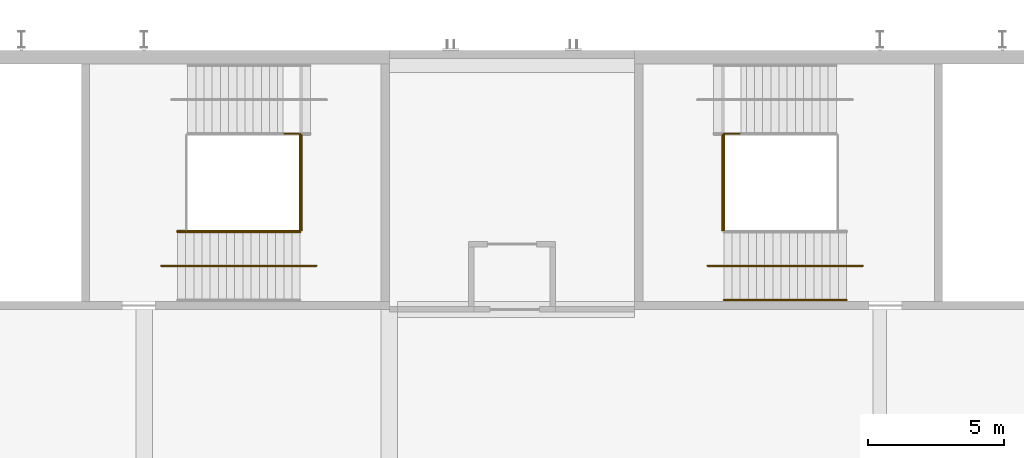
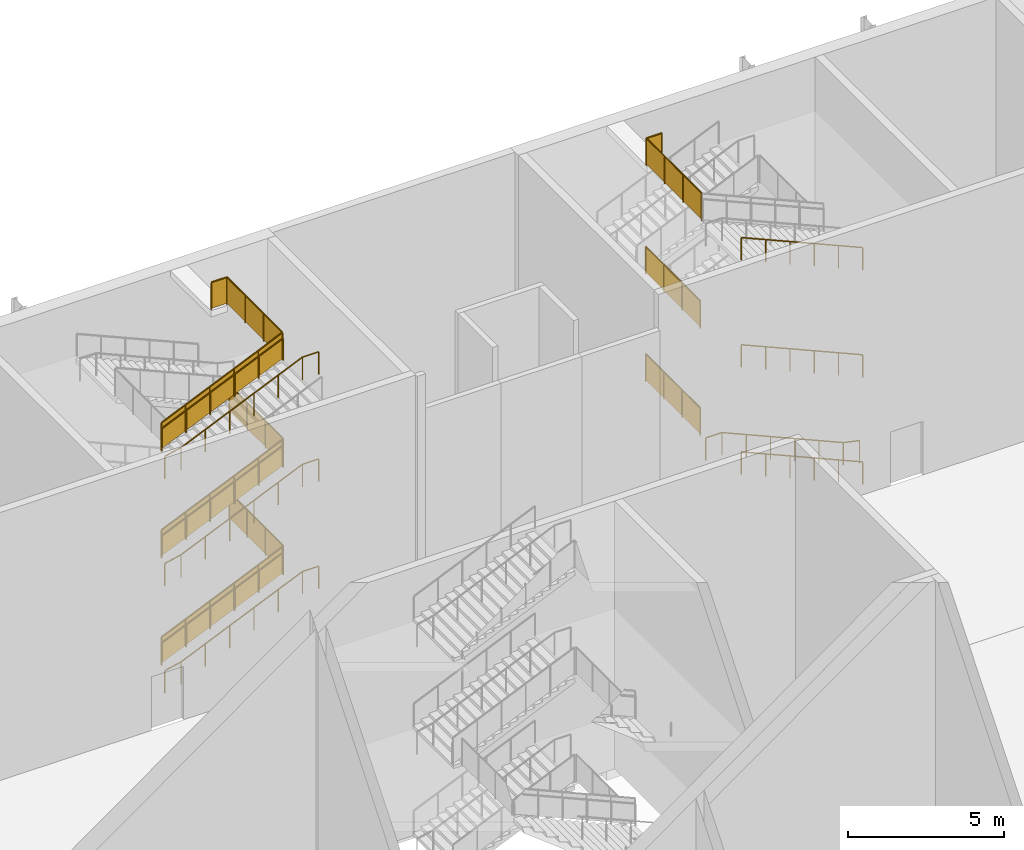
# One storey, part 175 of 182: 19 railings.
"""IFC4 building model written with IfcOpenShell, lengths in metres."""

from ifc_helpers import new_model, si_unit, direction, frame, origin, origin_2d, place, context, subcontext, project, spatial, polyline, circle, outline, extrude, material, type_object, element, save


model = new_model("IFC4")

# Units and contexts
model_context = context("Model", 3, precision=1e-05, world=origin(), true_north=direction((0.0, 1.0)))
body_context = subcontext(model_context, "Body", "Model", "MODEL_VIEW")
ifc_project = project(units=[si_unit("LENGTHUNIT", "METRE"), si_unit("AREAUNIT", "SQUARE_METRE"), si_unit("VOLUMEUNIT", "CUBIC_METRE"), si_unit("PLANEANGLEUNIT", "RADIAN"), si_unit("MASSUNIT", "GRAM", prefix="KILO")], contexts=[model_context])

# Site, building, storey
site_placement = place(None, origin())
site = spatial("IfcSite", under=ifc_project, at=site_placement, CompositionType="ELEMENT")
building_placement = place(site_placement, origin())
building = spatial("IfcBuilding", under=site, at=building_placement, Name="Silverbay Arena", CompositionType="ELEMENT")
storey_placement = place(building_placement, frame((0.0, 0.0, 11.5)))
storey = spatial("IfcBuildingStorey", under=building, at=storey_placement, Name="L02", CompositionType="ELEMENT", Elevation=11.5)

# Railings
ifc_material_1 = material(Name="Stainless steel", Category="steel")
railing_type_1 = type_object("IfcRailingType", Name="Stair guard 1100", PredefinedType="GUARDRAIL", material=ifc_material_1)
railing_1_placement = place(storey_placement, frame((172.225830078125, 137.875, 0.13134765625)))
element("IfcRailing", 1, at=railing_1_placement, inside=storey, type_object=railing_type_1, Name="Stair ST-N4 L02 to L03 flight 1 guard right", PredefinedType="GUARDRAIL", context=body_context, shape_type="SweptSolid", body=[
    extrude(circle(Radius=0.02392578125, at=origin_2d()), frame((0.0, 0.0, 1.076171875), z_axis=(0.916157334902, 0.0, 0.40081883402), x_axis=(0.0, 1.0, 0.0)), (0.0, 0.0, 1.0), 4.911865234375),
    extrude(outline(polyline([(-0.008056640625, 0.04638671875), (0.907958984375, 0.447265625), (0.907958984375, 1.4501953125), (-0.008056640625, 1.049560546875), (-0.008056640625, 0.04638671875)])), frame((0.0, 0.0029296875, 0.0), z_axis=(0.0, -1.0, 0.0), x_axis=(1.0, 0.0, 0.0)), (0.0, 0.0, 1.0), 0.006103515625),
    extrude(outline(polyline([(-0.008056640625, 0.440185546875), (0.907958984375, 0.841064453125), (0.907958984375, 1.843994140625), (-0.008056640625, 1.443359375), (-0.008056640625, 0.440185546875)])), frame((0.89990234375, 0.0029296875, 0.0), z_axis=(0.0, -1.0, 0.0), x_axis=(1.0, 0.0, 0.0)), (0.0, 0.0, 1.0), 0.006103515625),
    extrude(outline(polyline([(-0.008056640625, 0.833984375), (0.907958984375, 1.23486328125), (0.907958984375, 2.23779296875), (-0.008056640625, 1.8369140625), (-0.008056640625, 0.833984375)])), frame((1.800048828125, 0.0029296875, 0.0), z_axis=(0.0, -1.0, 0.0), x_axis=(1.0, 0.0, 0.0)), (0.0, 0.0, 1.0), 0.006103515625),
    extrude(outline(polyline([(-0.008056640625, 1.227783203125), (0.907958984375, 1.62841796875), (0.907958984375, 2.631591796875), (-0.008056640625, 2.230712890625), (-0.008056640625, 1.227783203125)])), frame((2.699951171875, 0.0029296875, 0.0), z_axis=(0.0, -1.0, 0.0), x_axis=(1.0, 0.0, 0.0)), (0.0, 0.0, 1.0), 0.006103515625),
    extrude(outline(polyline([(-0.008056640625, 1.62158203125), (0.907958984375, 2.022216796875), (0.907958984375, 3.025146484375), (-0.008056640625, 2.62451171875), (-0.008056640625, 1.62158203125)])), frame((3.60009765625, 0.0029296875, 0.0), z_axis=(0.0, -1.0, 0.0), x_axis=(1.0, 0.0, 0.0)), (0.0, 0.0, 1.0), 0.006103515625),
    extrude(circle(Radius=0.02099609375, at=origin_2d()), origin(), (0.0, 0.0, 1.0), 1.052001953125),
    extrude(circle(Radius=0.02099609375, at=origin_2d()), frame((0.89990234375, 0.0, 0.393798828125)), (0.0, 0.0, 1.0), 1.052001953125),
    extrude(circle(Radius=0.02099609375, at=origin_2d()), frame((1.800048828125, 0.0, 0.78759765625)), (0.0, 0.0, 1.0), 1.052001953125),
    extrude(circle(Radius=0.02099609375, at=origin_2d()), frame((2.699951171875, 0.0, 1.18115234375)), (0.0, 0.0, 1.0), 1.052001953125),
    extrude(circle(Radius=0.02099609375, at=origin_2d()), frame((3.60009765625, 0.0, 1.574951171875)), (0.0, 0.0, 1.0), 1.052001953125),
    extrude(circle(Radius=0.02099609375, at=origin_2d()), frame((4.5, 0.0, 1.96875)), (0.0, 0.0, 1.0), 1.052001953125),
])
railing_2_placement = place(storey_placement, frame((172.225830078125, 137.875, 4.331298828125)))
element("IfcRailing", 2, at=railing_2_placement, inside=storey, type_object=railing_type_1, Name="Stair ST-N4 L02 to L03 flight 3 guard right", PredefinedType="GUARDRAIL", context=body_context, shape_type="SweptSolid", body=[
    extrude(circle(Radius=0.02392578125, at=origin_2d()), frame((0.0, 0.0, 1.076171875), z_axis=(0.916157334902, 0.0, 0.40081883402), x_axis=(0.0, 1.0, 0.0)), (0.0, 0.0, 1.0), 4.911865234375),
    extrude(outline(polyline([(-0.008056640625, 0.04638671875), (0.907958984375, 0.447265625), (0.907958984375, 1.4501953125), (-0.008056640625, 1.049560546875), (-0.008056640625, 0.04638671875)])), frame((0.0, 0.0029296875, 0.0), z_axis=(0.0, -1.0, 0.0), x_axis=(1.0, 0.0, 0.0)), (0.0, 0.0, 1.0), 0.006103515625),
    extrude(outline(polyline([(-0.008056640625, 0.440185546875), (0.907958984375, 0.841064453125), (0.907958984375, 1.843994140625), (-0.008056640625, 1.443359375), (-0.008056640625, 0.440185546875)])), frame((0.89990234375, 0.0029296875, 0.0), z_axis=(0.0, -1.0, 0.0), x_axis=(1.0, 0.0, 0.0)), (0.0, 0.0, 1.0), 0.006103515625),
    extrude(outline(polyline([(-0.008056640625, 0.833984375), (0.907958984375, 1.23486328125), (0.907958984375, 2.23779296875), (-0.008056640625, 1.8369140625), (-0.008056640625, 0.833984375)])), frame((1.800048828125, 0.0029296875, 0.0), z_axis=(0.0, -1.0, 0.0), x_axis=(1.0, 0.0, 0.0)), (0.0, 0.0, 1.0), 0.006103515625),
    extrude(outline(polyline([(-0.008056640625, 1.227783203125), (0.907958984375, 1.62841796875), (0.907958984375, 2.631591796875), (-0.008056640625, 2.230712890625), (-0.008056640625, 1.227783203125)])), frame((2.699951171875, 0.0029296875, 0.0), z_axis=(0.0, -1.0, 0.0), x_axis=(1.0, 0.0, 0.0)), (0.0, 0.0, 1.0), 0.006103515625),
    extrude(outline(polyline([(-0.008056640625, 1.62158203125), (0.907958984375, 2.022216796875), (0.907958984375, 3.025146484375), (-0.008056640625, 2.62451171875), (-0.008056640625, 1.62158203125)])), frame((3.60009765625, 0.0029296875, 0.0), z_axis=(0.0, -1.0, 0.0), x_axis=(1.0, 0.0, 0.0)), (0.0, 0.0, 1.0), 0.006103515625),
    extrude(circle(Radius=0.02099609375, at=origin_2d()), origin(), (0.0, 0.0, 1.0), 1.052001953125),
    extrude(circle(Radius=0.02099609375, at=origin_2d()), frame((0.89990234375, 0.0, 0.393798828125)), (0.0, 0.0, 1.0), 1.052001953125),
    extrude(circle(Radius=0.02099609375, at=origin_2d()), frame((1.800048828125, 0.0, 0.78759765625)), (0.0, 0.0, 1.0), 1.052001953125),
    extrude(circle(Radius=0.02099609375, at=origin_2d()), frame((2.699951171875, 0.0, 1.18115234375)), (0.0, 0.0, 1.0), 1.052001953125),
    extrude(circle(Radius=0.02099609375, at=origin_2d()), frame((3.60009765625, 0.0, 1.574951171875)), (0.0, 0.0, 1.0), 1.052001953125),
    extrude(circle(Radius=0.02099609375, at=origin_2d()), frame((4.5, 0.0, 1.96875)), (0.0, 0.0, 1.0), 1.052001953125),
])
railing_3_placement = place(storey_placement, frame((172.225830078125, 137.875, 8.53125)))
element("IfcRailing", 3, at=railing_3_placement, inside=storey, type_object=railing_type_1, Name="Stair ST-N4 L02 to L03 flight 5 guard right", PredefinedType="GUARDRAIL", context=body_context, shape_type="SweptSolid", body=[
    extrude(circle(Radius=0.02392578125, at=origin_2d()), frame((0.0, 0.0, 1.076171875), z_axis=(0.916157334902, 0.0, 0.40081883402), x_axis=(0.0, 1.0, 0.0)), (0.0, 0.0, 1.0), 4.911865234375),
    extrude(outline(polyline([(-0.008056640625, 0.04638671875), (0.907958984375, 0.447265625), (0.907958984375, 1.4501953125), (-0.008056640625, 1.049560546875), (-0.008056640625, 0.04638671875)])), frame((0.0, 0.0029296875, 0.0), z_axis=(0.0, -1.0, 0.0), x_axis=(1.0, 0.0, 0.0)), (0.0, 0.0, 1.0), 0.006103515625),
    extrude(outline(polyline([(-0.008056640625, 0.440185546875), (0.907958984375, 0.841064453125), (0.907958984375, 1.843994140625), (-0.008056640625, 1.443359375), (-0.008056640625, 0.440185546875)])), frame((0.89990234375, 0.0029296875, 0.0), z_axis=(0.0, -1.0, 0.0), x_axis=(1.0, 0.0, 0.0)), (0.0, 0.0, 1.0), 0.006103515625),
    extrude(outline(polyline([(-0.008056640625, 0.833984375), (0.907958984375, 1.23486328125), (0.907958984375, 2.23779296875), (-0.008056640625, 1.8369140625), (-0.008056640625, 0.833984375)])), frame((1.800048828125, 0.0029296875, 0.0), z_axis=(0.0, -1.0, 0.0), x_axis=(1.0, 0.0, 0.0)), (0.0, 0.0, 1.0), 0.006103515625),
    extrude(outline(polyline([(-0.008056640625, 1.227783203125), (0.907958984375, 1.62841796875), (0.907958984375, 2.631591796875), (-0.008056640625, 2.230712890625), (-0.008056640625, 1.227783203125)])), frame((2.699951171875, 0.0029296875, 0.0), z_axis=(0.0, -1.0, 0.0), x_axis=(1.0, 0.0, 0.0)), (0.0, 0.0, 1.0), 0.006103515625),
    extrude(outline(polyline([(-0.008056640625, 1.62158203125), (0.907958984375, 2.022216796875), (0.907958984375, 3.025146484375), (-0.008056640625, 2.62451171875), (-0.008056640625, 1.62158203125)])), frame((3.60009765625, 0.0029296875, 0.0), z_axis=(0.0, -1.0, 0.0), x_axis=(1.0, 0.0, 0.0)), (0.0, 0.0, 1.0), 0.006103515625),
    extrude(circle(Radius=0.02099609375, at=origin_2d()), origin(), (0.0, 0.0, 1.0), 1.052001953125),
    extrude(circle(Radius=0.02099609375, at=origin_2d()), frame((0.89990234375, 0.0, 0.393798828125)), (0.0, 0.0, 1.0), 1.052001953125),
    extrude(circle(Radius=0.02099609375, at=origin_2d()), frame((1.800048828125, 0.0, 0.78759765625)), (0.0, 0.0, 1.0), 1.052001953125),
    extrude(circle(Radius=0.02099609375, at=origin_2d()), frame((2.699951171875, 0.0, 1.18115234375)), (0.0, 0.0, 1.0), 1.052001953125),
    extrude(circle(Radius=0.02099609375, at=origin_2d()), frame((3.60009765625, 0.0, 1.574951171875)), (0.0, 0.0, 1.0), 1.052001953125),
    extrude(circle(Radius=0.02099609375, at=origin_2d()), frame((4.5, 0.0, 1.96875)), (0.0, 0.0, 1.0), 1.052001953125),
])
for number, where, name in (
    (4, (176.77587890625, 137.89990234375, 2.10009765625), "Stair ST-N4 L02 to L03 landing 1 guard"),
    (5, (176.77587890625, 137.89990234375, 6.300048828125), "Stair ST-N4 L02 to L03 landing 3 guard"),
):
    element("IfcRailing", number, at=place(storey_placement, frame(where)), inside=storey, type_object=railing_type_1, Name=name, PredefinedType="GUARDRAIL", context=body_context, shape_type="SweptSolid", body=[
        extrude(circle(Radius=0.02392578125, at=origin_2d()), frame((0.0, 0.0, 1.076171875), z_axis=(0.0, 1.0, 0.0), x_axis=(-1.0, 0.0, 0.0)), (0.0, 0.0, 1.0), 3.5),
        extrude(outline(polyline([(-0.008056640625, 0.050048828125), (1.174560546875, 0.050048828125), (1.174560546875, 1.052978515625), (-0.008056640625, 1.052978515625), (-0.008056640625, 0.050048828125)])), frame((-0.0029296875, 0.0, 0.0), z_axis=(1.0, 0.0, 0.0), x_axis=(0.0, 1.0, 0.0)), (0.0, 0.0, 1.0), 0.006103515625),
        extrude(outline(polyline([(-0.008056640625, 0.050048828125), (1.174560546875, 0.050048828125), (1.174560546875, 1.052978515625), (-0.008056640625, 1.052978515625), (-0.008056640625, 0.050048828125)])), frame((-0.0029296875, 1.166748046875, 0.0), z_axis=(1.0, 0.0, 0.0), x_axis=(0.0, 1.0, 0.0)), (0.0, 0.0, 1.0), 0.006103515625),
        extrude(outline(polyline([(-0.008056640625, 0.050048828125), (1.174560546875, 0.050048828125), (1.174560546875, 1.052978515625), (-0.008056640625, 1.052978515625), (-0.008056640625, 0.050048828125)])), frame((-0.0029296875, 2.333251953125, 0.0), z_axis=(1.0, 0.0, 0.0), x_axis=(0.0, 1.0, 0.0)), (0.0, 0.0, 1.0), 0.006103515625),
        extrude(circle(Radius=0.02099609375, at=origin_2d()), origin(), (0.0, 0.0, 1.0), 1.052001953125),
        extrude(circle(Radius=0.02099609375, at=origin_2d()), frame((0.0, 1.166748046875, 0.0)), (0.0, 0.0, 1.0), 1.052001953125),
        extrude(circle(Radius=0.02099609375, at=origin_2d()), frame((0.0, 2.333251953125, 0.0)), (0.0, 0.0, 1.0), 1.052001953125),
        extrude(circle(Radius=0.02099609375, at=origin_2d()), frame((0.0, 3.5, 0.0)), (0.0, 0.0, 1.0), 1.052001953125),
    ])
railing_4_placement = place(storey_placement, frame((176.14990234375, 141.449951171875, 10.5)))
element("IfcRailing", 6, at=railing_4_placement, inside=storey, type_object=railing_type_1, Name="Stair ST-N4 L02 to L03 landing 5 guard", PredefinedType="GUARDRAIL", context=body_context, shape_type="SweptSolid", body=[
    extrude(circle(Radius=0.02392578125, at=origin_2d()), frame((0.0, 0.0, 1.076171875), z_axis=(1.0, 0.0, 0.0), x_axis=(0.0, 1.0, 0.0)), (0.0, 0.0, 1.0), 0.575927734375),
    extrude(outline(polyline([(-0.008056640625, 0.050048828125), (0.583984375, 0.050048828125), (0.583984375, 1.052978515625), (-0.008056640625, 1.052978515625), (-0.008056640625, 0.050048828125)])), frame((0.0, 0.0029296875, 0.0), z_axis=(0.0, -1.0, 0.0), x_axis=(1.0, 0.0, 0.0)), (0.0, 0.0, 1.0), 0.006103515625),
    extrude(circle(Radius=0.02392578125, at=origin_2d()), frame((0.575927734375, 0.0, 1.076171875), z_axis=(0.0, -1.0, 0.0), x_axis=(1.0, 0.0, 0.0)), (0.0, 0.0, 1.0), 3.550048828125),
    extrude(outline(polyline([(-0.008056640625, 0.050048828125), (1.19140625, 0.050048828125), (1.19140625, 1.052978515625), (-0.008056640625, 1.052978515625), (-0.008056640625, 0.050048828125)])), frame((0.578857421875, 0.0, 0.0), z_axis=(-1.0, 0.0, 0.0), x_axis=(0.0, -1.0, 0.0)), (0.0, 0.0, 1.0), 0.006103515625),
    extrude(outline(polyline([(-0.008056640625, 0.050048828125), (1.19140625, 0.050048828125), (1.19140625, 1.052978515625), (-0.008056640625, 1.052978515625), (-0.008056640625, 0.050048828125)])), frame((0.578857421875, -1.183349609375, 0.0), z_axis=(-1.0, 0.0, 0.0), x_axis=(0.0, -1.0, 0.0)), (0.0, 0.0, 1.0), 0.006103515625),
    extrude(outline(polyline([(-0.008056640625, 0.050048828125), (1.19140625, 0.050048828125), (1.19140625, 1.052978515625), (-0.008056640625, 1.052978515625), (-0.008056640625, 0.050048828125)])), frame((0.578857421875, -2.36669921875, 0.0), z_axis=(-1.0, 0.0, 0.0), x_axis=(0.0, -1.0, 0.0)), (0.0, 0.0, 1.0), 0.006103515625),
    extrude(circle(Radius=0.02099609375, at=origin_2d()), origin(), (0.0, 0.0, 1.0), 1.052001953125),
    extrude(circle(Radius=0.02099609375, at=origin_2d()), frame((0.575927734375, 0.0, 0.0)), (0.0, 0.0, 1.0), 1.052001953125),
    extrude(circle(Radius=0.02099609375, at=origin_2d()), frame((0.575927734375, -1.183349609375, 0.0)), (0.0, 0.0, 1.0), 1.052001953125),
    extrude(circle(Radius=0.02099609375, at=origin_2d()), frame((0.575927734375, -2.36669921875, 0.0)), (0.0, 0.0, 1.0), 1.052001953125),
    extrude(circle(Radius=0.02099609375, at=origin_2d()), frame((0.575927734375, -3.550048828125, 0.0)), (0.0, 0.0, 1.0), 1.052001953125),
])
for number, where, name in (
    (7, (192.22412109375, 137.89990234375, 2.10009765625), "Stair ST-N6 L02 to L03 landing 1 guard"),
    (8, (192.22412109375, 137.89990234375, 6.300048828125), "Stair ST-N6 L02 to L03 landing 3 guard"),
):
    element("IfcRailing", number, at=place(storey_placement, frame(where)), inside=storey, type_object=railing_type_1, Name=name, PredefinedType="GUARDRAIL", context=body_context, shape_type="SweptSolid", body=[
        extrude(circle(Radius=0.02392578125, at=origin_2d()), frame((0.0, 0.0, 1.076171875), z_axis=(0.0, 1.0, 0.0), x_axis=(-1.0, 0.0, 0.0)), (0.0, 0.0, 1.0), 3.5),
        extrude(outline(polyline([(-0.008056640625, 0.050048828125), (1.174560546875, 0.050048828125), (1.174560546875, 1.052978515625), (-0.008056640625, 1.052978515625), (-0.008056640625, 0.050048828125)])), frame((-0.0029296875, 0.0, 0.0), z_axis=(1.0, 0.0, 0.0), x_axis=(0.0, 1.0, 0.0)), (0.0, 0.0, 1.0), 0.006103515625),
        extrude(outline(polyline([(-0.008056640625, 0.050048828125), (1.174560546875, 0.050048828125), (1.174560546875, 1.052978515625), (-0.008056640625, 1.052978515625), (-0.008056640625, 0.050048828125)])), frame((-0.0029296875, 1.166748046875, 0.0), z_axis=(1.0, 0.0, 0.0), x_axis=(0.0, 1.0, 0.0)), (0.0, 0.0, 1.0), 0.006103515625),
        extrude(outline(polyline([(-0.008056640625, 0.050048828125), (1.174560546875, 0.050048828125), (1.174560546875, 1.052978515625), (-0.008056640625, 1.052978515625), (-0.008056640625, 0.050048828125)])), frame((-0.0029296875, 2.333251953125, 0.0), z_axis=(1.0, 0.0, 0.0), x_axis=(0.0, 1.0, 0.0)), (0.0, 0.0, 1.0), 0.006103515625),
        extrude(circle(Radius=0.02099609375, at=origin_2d()), origin(), (0.0, 0.0, 1.0), 1.052001953125),
        extrude(circle(Radius=0.02099609375, at=origin_2d()), frame((0.0, 1.166748046875, 0.0)), (0.0, 0.0, 1.0), 1.052001953125),
        extrude(circle(Radius=0.02099609375, at=origin_2d()), frame((0.0, 2.333251953125, 0.0)), (0.0, 0.0, 1.0), 1.052001953125),
        extrude(circle(Radius=0.02099609375, at=origin_2d()), frame((0.0, 3.5, 0.0)), (0.0, 0.0, 1.0), 1.052001953125),
    ])
railing_5_placement = place(storey_placement, frame((192.85009765625, 141.449951171875, 10.5)))
element("IfcRailing", 9, at=railing_5_placement, inside=storey, type_object=railing_type_1, Name="Stair ST-N6 L02 to L03 landing 5 guard", PredefinedType="GUARDRAIL", context=body_context, shape_type="SweptSolid", body=[
    extrude(circle(Radius=0.02392578125, at=origin_2d()), frame((0.0, 0.0, 1.076171875), z_axis=(-1.0, 0.0, 0.0), x_axis=(0.0, -1.0, 0.0)), (0.0, 0.0, 1.0), 0.575927734375),
    extrude(outline(polyline([(-0.008056640625, 0.050048828125), (0.583984375, 0.050048828125), (0.583984375, 1.052978515625), (-0.008056640625, 1.052978515625), (-0.008056640625, 0.050048828125)])), frame((0.0, -0.0029296875, 0.0), z_axis=(0.0, 1.0, 0.0), x_axis=(-1.0, 0.0, 0.0)), (0.0, 0.0, 1.0), 0.006103515625),
    extrude(circle(Radius=0.02392578125, at=origin_2d()), frame((-0.575927734375, 0.0, 1.076171875), z_axis=(0.0, -1.0, 0.0), x_axis=(1.0, 0.0, 0.0)), (0.0, 0.0, 1.0), 3.550048828125),
    extrude(outline(polyline([(-0.008056640625, 0.050048828125), (1.19140625, 0.050048828125), (1.19140625, 1.052978515625), (-0.008056640625, 1.052978515625), (-0.008056640625, 0.050048828125)])), frame((-0.572998046875, 0.0, 0.0), z_axis=(-1.0, 0.0, 0.0), x_axis=(0.0, -1.0, 0.0)), (0.0, 0.0, 1.0), 0.006103515625),
    extrude(outline(polyline([(-0.008056640625, 0.050048828125), (1.19140625, 0.050048828125), (1.19140625, 1.052978515625), (-0.008056640625, 1.052978515625), (-0.008056640625, 0.050048828125)])), frame((-0.572998046875, -1.183349609375, 0.0), z_axis=(-1.0, 0.0, 0.0), x_axis=(0.0, -1.0, 0.0)), (0.0, 0.0, 1.0), 0.006103515625),
    extrude(outline(polyline([(-0.008056640625, 0.050048828125), (1.19140625, 0.050048828125), (1.19140625, 1.052978515625), (-0.008056640625, 1.052978515625), (-0.008056640625, 0.050048828125)])), frame((-0.572998046875, -2.36669921875, 0.0), z_axis=(-1.0, 0.0, 0.0), x_axis=(0.0, -1.0, 0.0)), (0.0, 0.0, 1.0), 0.006103515625),
    extrude(circle(Radius=0.02099609375, at=origin_2d()), origin(), (0.0, 0.0, 1.0), 1.052001953125),
    extrude(circle(Radius=0.02099609375, at=origin_2d()), frame((-0.575927734375, 0.0, 0.0)), (0.0, 0.0, 1.0), 1.052001953125),
    extrude(circle(Radius=0.02099609375, at=origin_2d()), frame((-0.575927734375, -1.183349609375, 0.0)), (0.0, 0.0, 1.0), 1.052001953125),
    extrude(circle(Radius=0.02099609375, at=origin_2d()), frame((-0.575927734375, -2.36669921875, 0.0)), (0.0, 0.0, 1.0), 1.052001953125),
    extrude(circle(Radius=0.02099609375, at=origin_2d()), frame((-0.575927734375, -3.550048828125, 0.0)), (0.0, 0.0, 1.0), 1.052001953125),
])
ifc_material_2 = material(Name="Stainless steel", Category="steel")
railing_type_2 = type_object("IfcRailingType", Name="Stair handrail 900", PredefinedType="HANDRAIL", material=ifc_material_2)
railing_6_placement = place(storey_placement, frame((172.225830078125, 137.8359375, 0.13134765625)))
element("IfcRailing", 10, at=railing_6_placement, inside=storey, type_object=railing_type_2, Name="Stair ST-N4 L02 to L03 flight 1 handrail right", PredefinedType="HANDRAIL", context=body_context, shape_type="SweptSolid", body=[
    extrude(circle(Radius=0.02392578125, at=origin_2d()), frame((0.0, 0.0, 0.8759765625), z_axis=(0.916157334902, 0.0, 0.40081883402), x_axis=(0.0, 1.0, 0.0)), (0.0, 0.0, 1.0), 4.911865234375),
    extrude(circle(Radius=0.02099609375, at=origin_2d()), origin(), (0.0, 0.0, 1.0), 0.851806640625),
    extrude(circle(Radius=0.02099609375, at=origin_2d()), frame((0.89990234375, 0.0, 0.393798828125)), (0.0, 0.0, 1.0), 0.851806640625),
    extrude(circle(Radius=0.02099609375, at=origin_2d()), frame((1.800048828125, 0.0, 0.78759765625)), (0.0, 0.0, 1.0), 0.851806640625),
    extrude(circle(Radius=0.02099609375, at=origin_2d()), frame((2.699951171875, 0.0, 1.18115234375)), (0.0, 0.0, 1.0), 0.851806640625),
    extrude(circle(Radius=0.02099609375, at=origin_2d()), frame((3.60009765625, 0.0, 1.574951171875)), (0.0, 0.0, 1.0), 0.851806640625),
    extrude(circle(Radius=0.02099609375, at=origin_2d()), frame((4.5, 0.0, 1.96875)), (0.0, 0.0, 1.0), 0.851806640625),
])
railing_7_placement = place(storey_placement, frame((171.625732421875, 136.60009765625, 0.0)))
element("IfcRailing", 11, at=railing_7_placement, inside=storey, type_object=railing_type_2, Name="Stair ST-N4 L02 to L03 flight 1 central handrail", PredefinedType="HANDRAIL", context=body_context, shape_type="SweptSolid", body=[
    extrude(circle(Radius=0.02392578125, at=origin_2d()), frame((0.0, 0.0, 0.8759765625), z_axis=(0.976874083041, 0.0, 0.213815401414), x_axis=(0.0, 1.0, 0.0)), (0.0, 0.0, 1.0), 0.6142578125),
    extrude(circle(Radius=0.02392578125, at=origin_2d()), frame((0.60009765625, 0.0, 1.00732421875), z_axis=(0.916157334902, 0.0, 0.40081883402), x_axis=(0.0, 1.0, 0.0)), (0.0, 0.0, 1.0), 4.911865234375),
    extrude(circle(Radius=0.02392578125, at=origin_2d()), frame((5.10009765625, 0.0, 2.97607421875), z_axis=(1.0, 0.0, 0.0), x_axis=(0.0, 1.0, 0.0)), (0.0, 0.0, 1.0), 0.599853515625),
    extrude(circle(Radius=0.02099609375, at=origin_2d()), origin(), (0.0, 0.0, 1.0), 0.851806640625),
    extrude(circle(Radius=0.02099609375, at=origin_2d()), frame((0.60009765625, 0.0, 0.13134765625)), (0.0, 0.0, 1.0), 0.851806640625),
    extrude(circle(Radius=0.02099609375, at=origin_2d()), frame((1.5, 0.0, 0.525146484375)), (0.0, 0.0, 1.0), 0.851806640625),
    extrude(circle(Radius=0.02099609375, at=origin_2d()), frame((2.400146484375, 0.0, 0.9189453125)), (0.0, 0.0, 1.0), 0.851806640625),
    extrude(circle(Radius=0.02099609375, at=origin_2d()), frame((3.300048828125, 0.0, 1.3125)), (0.0, 0.0, 1.0), 0.851806640625),
    extrude(circle(Radius=0.02099609375, at=origin_2d()), frame((4.2001953125, 0.0, 1.706298828125)), (0.0, 0.0, 1.0), 0.851806640625),
    extrude(circle(Radius=0.02099609375, at=origin_2d()), frame((5.10009765625, 0.0, 2.10009765625)), (0.0, 0.0, 1.0), 0.851806640625),
    extrude(circle(Radius=0.02099609375, at=origin_2d()), frame((5.699951171875, 0.0, 2.10009765625)), (0.0, 0.0, 1.0), 0.851806640625),
])
railing_8_placement = place(storey_placement, frame((172.225830078125, 137.8359375, 4.331298828125)))
element("IfcRailing", 12, at=railing_8_placement, inside=storey, type_object=railing_type_2, Name="Stair ST-N4 L02 to L03 flight 3 handrail right", PredefinedType="HANDRAIL", context=body_context, shape_type="SweptSolid", body=[
    extrude(circle(Radius=0.02392578125, at=origin_2d()), frame((0.0, 0.0, 0.8759765625), z_axis=(0.916157334902, 0.0, 0.40081883402), x_axis=(0.0, 1.0, 0.0)), (0.0, 0.0, 1.0), 4.911865234375),
    extrude(circle(Radius=0.02099609375, at=origin_2d()), origin(), (0.0, 0.0, 1.0), 0.851806640625),
    extrude(circle(Radius=0.02099609375, at=origin_2d()), frame((0.89990234375, 0.0, 0.393798828125)), (0.0, 0.0, 1.0), 0.851806640625),
    extrude(circle(Radius=0.02099609375, at=origin_2d()), frame((1.800048828125, 0.0, 0.78759765625)), (0.0, 0.0, 1.0), 0.851806640625),
    extrude(circle(Radius=0.02099609375, at=origin_2d()), frame((2.699951171875, 0.0, 1.18115234375)), (0.0, 0.0, 1.0), 0.851806640625),
    extrude(circle(Radius=0.02099609375, at=origin_2d()), frame((3.60009765625, 0.0, 1.574951171875)), (0.0, 0.0, 1.0), 0.851806640625),
    extrude(circle(Radius=0.02099609375, at=origin_2d()), frame((4.5, 0.0, 1.96875)), (0.0, 0.0, 1.0), 0.851806640625),
])
railing_9_placement = place(storey_placement, frame((171.625732421875, 136.60009765625, 4.199951171875)))
element("IfcRailing", 13, at=railing_9_placement, inside=storey, type_object=railing_type_2, Name="Stair ST-N4 L02 to L03 flight 3 central handrail", PredefinedType="HANDRAIL", context=body_context, shape_type="SweptSolid", body=[
    extrude(circle(Radius=0.02392578125, at=origin_2d()), frame((0.0, 0.0, 0.8759765625), z_axis=(0.976874083041, 0.0, 0.213815401414), x_axis=(0.0, 1.0, 0.0)), (0.0, 0.0, 1.0), 0.6142578125),
    extrude(circle(Radius=0.02392578125, at=origin_2d()), frame((0.60009765625, 0.0, 1.00732421875), z_axis=(0.916157334902, 0.0, 0.40081883402), x_axis=(0.0, 1.0, 0.0)), (0.0, 0.0, 1.0), 4.911865234375),
    extrude(circle(Radius=0.02392578125, at=origin_2d()), frame((5.10009765625, 0.0, 2.97607421875), z_axis=(1.0, 0.0, 0.0), x_axis=(0.0, 1.0, 0.0)), (0.0, 0.0, 1.0), 0.599853515625),
    extrude(circle(Radius=0.02099609375, at=origin_2d()), origin(), (0.0, 0.0, 1.0), 0.851806640625),
    extrude(circle(Radius=0.02099609375, at=origin_2d()), frame((0.60009765625, 0.0, 0.13134765625)), (0.0, 0.0, 1.0), 0.851806640625),
    extrude(circle(Radius=0.02099609375, at=origin_2d()), frame((1.5, 0.0, 0.525146484375)), (0.0, 0.0, 1.0), 0.851806640625),
    extrude(circle(Radius=0.02099609375, at=origin_2d()), frame((2.400146484375, 0.0, 0.9189453125)), (0.0, 0.0, 1.0), 0.851806640625),
    extrude(circle(Radius=0.02099609375, at=origin_2d()), frame((3.300048828125, 0.0, 1.3125)), (0.0, 0.0, 1.0), 0.851806640625),
    extrude(circle(Radius=0.02099609375, at=origin_2d()), frame((4.2001953125, 0.0, 1.706298828125)), (0.0, 0.0, 1.0), 0.851806640625),
    extrude(circle(Radius=0.02099609375, at=origin_2d()), frame((5.10009765625, 0.0, 2.10009765625)), (0.0, 0.0, 1.0), 0.851806640625),
    extrude(circle(Radius=0.02099609375, at=origin_2d()), frame((5.699951171875, 0.0, 2.10009765625)), (0.0, 0.0, 1.0), 0.851806640625),
])
railing_10_placement = place(storey_placement, frame((172.225830078125, 137.8359375, 8.53125)))
element("IfcRailing", 14, at=railing_10_placement, inside=storey, type_object=railing_type_2, Name="Stair ST-N4 L02 to L03 flight 5 handrail right", PredefinedType="HANDRAIL", context=body_context, shape_type="SweptSolid", body=[
    extrude(circle(Radius=0.02392578125, at=origin_2d()), frame((0.0, 0.0, 0.8759765625), z_axis=(0.916157334902, 0.0, 0.40081883402), x_axis=(0.0, 1.0, 0.0)), (0.0, 0.0, 1.0), 4.911865234375),
    extrude(circle(Radius=0.02099609375, at=origin_2d()), origin(), (0.0, 0.0, 1.0), 0.851806640625),
    extrude(circle(Radius=0.02099609375, at=origin_2d()), frame((0.89990234375, 0.0, 0.393798828125)), (0.0, 0.0, 1.0), 0.851806640625),
    extrude(circle(Radius=0.02099609375, at=origin_2d()), frame((1.800048828125, 0.0, 0.78759765625)), (0.0, 0.0, 1.0), 0.851806640625),
    extrude(circle(Radius=0.02099609375, at=origin_2d()), frame((2.699951171875, 0.0, 1.18115234375)), (0.0, 0.0, 1.0), 0.851806640625),
    extrude(circle(Radius=0.02099609375, at=origin_2d()), frame((3.60009765625, 0.0, 1.574951171875)), (0.0, 0.0, 1.0), 0.851806640625),
    extrude(circle(Radius=0.02099609375, at=origin_2d()), frame((4.5, 0.0, 1.96875)), (0.0, 0.0, 1.0), 0.851806640625),
])
railing_11_placement = place(storey_placement, frame((171.625732421875, 136.60009765625, 8.39990234375)))
element("IfcRailing", 15, at=railing_11_placement, inside=storey, type_object=railing_type_2, Name="Stair ST-N4 L02 to L03 flight 5 central handrail", PredefinedType="HANDRAIL", context=body_context, shape_type="SweptSolid", body=[
    extrude(circle(Radius=0.02392578125, at=origin_2d()), frame((0.0, 0.0, 0.8759765625), z_axis=(0.976874083041, 0.0, 0.213815401414), x_axis=(0.0, 1.0, 0.0)), (0.0, 0.0, 1.0), 0.6142578125),
    extrude(circle(Radius=0.02392578125, at=origin_2d()), frame((0.60009765625, 0.0, 1.00732421875), z_axis=(0.916157334902, 0.0, 0.40081883402), x_axis=(0.0, 1.0, 0.0)), (0.0, 0.0, 1.0), 4.911865234375),
    extrude(circle(Radius=0.02392578125, at=origin_2d()), frame((5.10009765625, 0.0, 2.97607421875), z_axis=(1.0, 0.0, 0.0), x_axis=(0.0, 1.0, 0.0)), (0.0, 0.0, 1.0), 0.599853515625),
    extrude(circle(Radius=0.02099609375, at=origin_2d()), origin(), (0.0, 0.0, 1.0), 0.851806640625),
    extrude(circle(Radius=0.02099609375, at=origin_2d()), frame((0.60009765625, 0.0, 0.13134765625)), (0.0, 0.0, 1.0), 0.851806640625),
    extrude(circle(Radius=0.02099609375, at=origin_2d()), frame((1.5, 0.0, 0.525146484375)), (0.0, 0.0, 1.0), 0.851806640625),
    extrude(circle(Radius=0.02099609375, at=origin_2d()), frame((2.400146484375, 0.0, 0.9189453125)), (0.0, 0.0, 1.0), 0.851806640625),
    extrude(circle(Radius=0.02099609375, at=origin_2d()), frame((3.300048828125, 0.0, 1.3125)), (0.0, 0.0, 1.0), 0.851806640625),
    extrude(circle(Radius=0.02099609375, at=origin_2d()), frame((4.2001953125, 0.0, 1.706298828125)), (0.0, 0.0, 1.0), 0.851806640625),
    extrude(circle(Radius=0.02099609375, at=origin_2d()), frame((5.10009765625, 0.0, 2.10009765625)), (0.0, 0.0, 1.0), 0.851806640625),
    extrude(circle(Radius=0.02099609375, at=origin_2d()), frame((5.699951171875, 0.0, 2.10009765625)), (0.0, 0.0, 1.0), 0.851806640625),
])
railing_12_placement = place(storey_placement, frame((196.774169921875, 135.35009765625, 0.13134765625)))
element("IfcRailing", 16, at=railing_12_placement, inside=storey, type_object=railing_type_2, Name="Stair ST-N6 L02 to L03 flight 1 handrail left", PredefinedType="HANDRAIL", context=body_context, shape_type="SweptSolid", body=[
    extrude(circle(Radius=0.02392578125, at=origin_2d()), frame((0.0, 0.0, 0.8759765625), z_axis=(-0.916157334902, 0.0, 0.40081883402), x_axis=(0.0, -1.0, 0.0)), (0.0, 0.0, 1.0), 4.911865234375),
    extrude(circle(Radius=0.02099609375, at=origin_2d()), origin(), (0.0, 0.0, 1.0), 0.851806640625),
    extrude(circle(Radius=0.02099609375, at=origin_2d()), frame((-0.89990234375, 0.0, 0.393798828125)), (0.0, 0.0, 1.0), 0.851806640625),
    extrude(circle(Radius=0.02099609375, at=origin_2d()), frame((-1.800048828125, 0.0, 0.78759765625)), (0.0, 0.0, 1.0), 0.851806640625),
    extrude(circle(Radius=0.02099609375, at=origin_2d()), frame((-2.699951171875, 0.0, 1.18115234375)), (0.0, 0.0, 1.0), 0.851806640625),
    extrude(circle(Radius=0.02099609375, at=origin_2d()), frame((-3.60009765625, 0.0, 1.574951171875)), (0.0, 0.0, 1.0), 0.851806640625),
    extrude(circle(Radius=0.02099609375, at=origin_2d()), frame((-4.5, 0.0, 1.96875)), (0.0, 0.0, 1.0), 0.851806640625),
])
railing_13_placement = place(storey_placement, frame((197.374267578125, 136.60009765625, 0.0)))
element("IfcRailing", 17, at=railing_13_placement, inside=storey, type_object=railing_type_2, Name="Stair ST-N6 L02 to L03 flight 1 central handrail", PredefinedType="HANDRAIL", context=body_context, shape_type="SweptSolid", body=[
    extrude(circle(Radius=0.02392578125, at=origin_2d()), frame((0.0, 0.0, 0.8759765625), z_axis=(-0.976874083041, 0.0, 0.213815401414), x_axis=(0.0, -1.0, 0.0)), (0.0, 0.0, 1.0), 0.6142578125),
    extrude(circle(Radius=0.02392578125, at=origin_2d()), frame((-0.60009765625, 0.0, 1.00732421875), z_axis=(-0.916157334902, 0.0, 0.40081883402), x_axis=(0.0, -1.0, 0.0)), (0.0, 0.0, 1.0), 4.911865234375),
    extrude(circle(Radius=0.02392578125, at=origin_2d()), frame((-5.10009765625, 0.0, 2.97607421875), z_axis=(-1.0, 0.0, 0.0), x_axis=(0.0, -1.0, 0.0)), (0.0, 0.0, 1.0), 0.599853515625),
    extrude(circle(Radius=0.02099609375, at=origin_2d()), origin(), (0.0, 0.0, 1.0), 0.851806640625),
    extrude(circle(Radius=0.02099609375, at=origin_2d()), frame((-0.60009765625, 0.0, 0.13134765625)), (0.0, 0.0, 1.0), 0.851806640625),
    extrude(circle(Radius=0.02099609375, at=origin_2d()), frame((-1.5, 0.0, 0.525146484375)), (0.0, 0.0, 1.0), 0.851806640625),
    extrude(circle(Radius=0.02099609375, at=origin_2d()), frame((-2.400146484375, 0.0, 0.9189453125)), (0.0, 0.0, 1.0), 0.851806640625),
    extrude(circle(Radius=0.02099609375, at=origin_2d()), frame((-3.300048828125, 0.0, 1.3125)), (0.0, 0.0, 1.0), 0.851806640625),
    extrude(circle(Radius=0.02099609375, at=origin_2d()), frame((-4.2001953125, 0.0, 1.706298828125)), (0.0, 0.0, 1.0), 0.851806640625),
    extrude(circle(Radius=0.02099609375, at=origin_2d()), frame((-5.10009765625, 0.0, 2.10009765625)), (0.0, 0.0, 1.0), 0.851806640625),
    extrude(circle(Radius=0.02099609375, at=origin_2d()), frame((-5.699951171875, 0.0, 2.10009765625)), (0.0, 0.0, 1.0), 0.851806640625),
])
for number, where, name in (
    (18, (196.774169921875, 135.35009765625, 4.331298828125), "Stair ST-N6 L02 to L03 flight 3 handrail left"),
    (19, (196.774169921875, 135.35009765625, 8.53125), "Stair ST-N6 L02 to L03 flight 5 handrail left"),
):
    element("IfcRailing", number, at=place(storey_placement, frame(where)), inside=storey, type_object=railing_type_2, Name=name, PredefinedType="HANDRAIL", context=body_context, shape_type="SweptSolid", body=[
        extrude(circle(Radius=0.02392578125, at=origin_2d()), frame((0.0, 0.0, 0.8759765625), z_axis=(-0.916157334902, 0.0, 0.40081883402), x_axis=(0.0, -1.0, 0.0)), (0.0, 0.0, 1.0), 4.911865234375),
        extrude(circle(Radius=0.02099609375, at=origin_2d()), origin(), (0.0, 0.0, 1.0), 0.851806640625),
        extrude(circle(Radius=0.02099609375, at=origin_2d()), frame((-0.89990234375, 0.0, 0.393798828125)), (0.0, 0.0, 1.0), 0.851806640625),
        extrude(circle(Radius=0.02099609375, at=origin_2d()), frame((-1.800048828125, 0.0, 0.78759765625)), (0.0, 0.0, 1.0), 0.851806640625),
        extrude(circle(Radius=0.02099609375, at=origin_2d()), frame((-2.699951171875, 0.0, 1.18115234375)), (0.0, 0.0, 1.0), 0.851806640625),
        extrude(circle(Radius=0.02099609375, at=origin_2d()), frame((-3.60009765625, 0.0, 1.574951171875)), (0.0, 0.0, 1.0), 0.851806640625),
        extrude(circle(Radius=0.02099609375, at=origin_2d()), frame((-4.5, 0.0, 1.96875)), (0.0, 0.0, 1.0), 0.851806640625),
    ])

save(model, "model.ifc")
